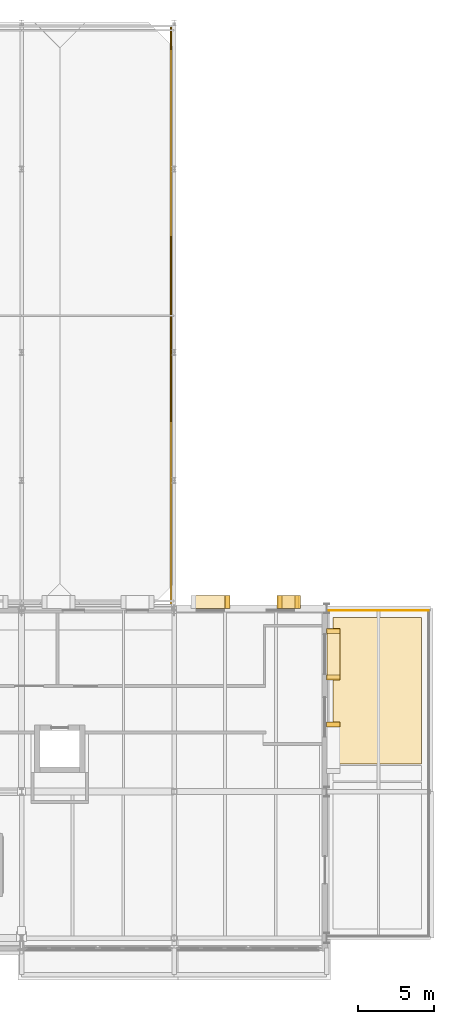
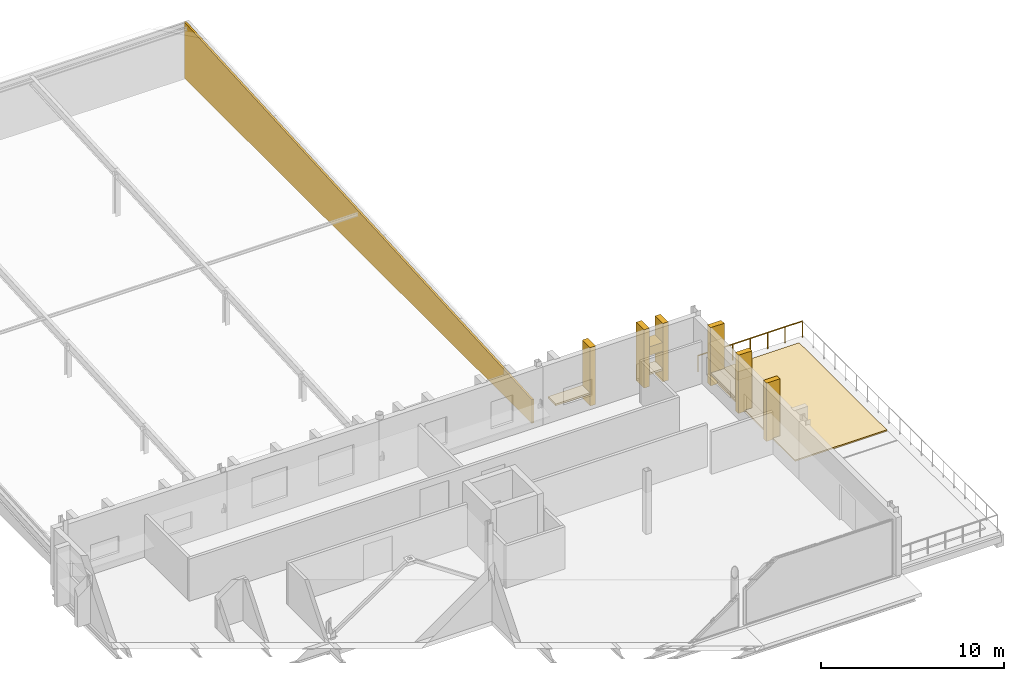
# One storey, part 57 of 57: 13 coverings, 1 railing.
"""IFC4 building model written with IfcOpenShell, lengths in metres."""

from ifc_helpers import new_model, si_unit, direction, frame, origin, origin_2d, place, context, subcontext, project, spatial, polyline, rectangle, circle, outline, extrude, material, layer, layer_set, type_object, element, save


model = new_model("IFC4")

# Units and contexts
model_context = context("Model", 3, precision=1e-05, world=origin(), true_north=direction((0.0, 1.0)))
body_context = subcontext(model_context, "Body", "Model", "MODEL_VIEW")
ifc_project = project(units=[si_unit("LENGTHUNIT", "METRE"), si_unit("AREAUNIT", "SQUARE_METRE"), si_unit("VOLUMEUNIT", "CUBIC_METRE"), si_unit("PLANEANGLEUNIT", "RADIAN"), si_unit("MASSUNIT", "GRAM", prefix="KILO")], contexts=[model_context])

# Site, building, storey
site_placement = place(None, origin())
site = spatial("IfcSite", under=ifc_project, at=site_placement, CompositionType="ELEMENT")
building_placement = place(site_placement, origin())
building = spatial("IfcBuilding", under=site, at=building_placement, Name="Zereglee Splitstone Museum", CompositionType="ELEMENT")
storey_placement = place(building_placement, frame((0.0, 0.0, 17.10009765625)))
storey = spatial("IfcBuildingStorey", under=building, at=storey_placement, Name="L03", CompositionType="ELEMENT", Elevation=17.10009765625)

# Coverings
ifc_material_1 = material(Name="Honed Gobi pale limestone stringcourse and soffit cladding", Category="masonry")
ifc_layer_1 = layer(ifc_material_1, 0.070068359375)
ifc_layer_set_1 = layer_set([ifc_layer_1], Name="Honed Gobi pale limestone stringcourse and soffit cladding")
covering_type_1 = type_object("IfcCoveringType", Name="CL-02", PredefinedType="CLADDING", material=ifc_layer_set_1)
for number, where, z_axis, x_axis, name in (
    (1, (215.625, 14.0, 0.0), (0.0, 0.0, 1.0), (0.0, 1.0, 0.0), "Mughal Window Reveal Stone Pilaster L03-0105R"),
    (2, (215.625, 17.080078125, 0.0), (0.0, 0.0, 1.0), (0.0, 1.0, 0.0), "Mughal Window Reveal Stone Pilaster L03-0106L"),
    (3, (215.625, 20.1201171875, 0.0), (0.0, 0.0, 1.0), (0.0, 1.0, 0.0), "Mughal Window Reveal Stone Pilaster L03-0106R"),
):
    element("IfcCovering", number, at=place(storey_placement, frame(where, z_axis=z_axis, x_axis=x_axis)), inside=storey, type_object=covering_type_1, Name=name, PredefinedType="CLADDING", context=body_context, shape_type="SweptSolid", body=[
        extrude(rectangle(XDim=0.340087890625, YDim=0.860107421875, at=origin_2d()), origin(), (0.0, 0.0, 1.0), 3.89990234375),
    ])
covering_1_placement = place(storey_placement, frame((215.635009765625, 18.60009765625, 0.759765625), z_axis=(0.0, 0.0, 1.0), x_axis=(0.0, 1.0, 0.0)))
element("IfcCovering", 4, at=covering_1_placement, inside=storey, type_object=covering_type_1, Name="Carved Limestone Window Sill L03-0106", PredefinedType="CLADDING", context=body_context, shape_type="SweptSolid", body=[
    extrude(rectangle(XDim=3.239990234375, YDim=0.840087890625, at=origin_2d()), origin(), (0.0, 0.0, 1.0), 0.1201171875),
])
for number, where, z_axis, x_axis, name in (
    (5, (213.294921875, 22.02490234375, 0.0), (0.0, 0.0, 1.0), (-1.0, 0.0, 0.0), "Mughal Window Reveal Stone Pilaster L03-0107L"),
    (6, (212.10498046875, 22.02490234375, 0.0), (0.0, 0.0, 1.0), (-1.0, 0.0, 0.0), "Mughal Window Reveal Stone Pilaster L03-0107R"),
):
    element("IfcCovering", number, at=place(storey_placement, frame(where, z_axis=z_axis, x_axis=x_axis)), inside=storey, type_object=covering_type_1, Name=name, PredefinedType="CLADDING", context=body_context, shape_type="SweptSolid", body=[
        extrude(rectangle(XDim=0.340087890625, YDim=0.860107421875, at=origin_2d()), origin(), (0.0, 0.0, 1.0), 3.89990234375),
    ])
covering_2_placement = place(storey_placement, frame((212.699951171875, 22.034912109375, 0.759765625), z_axis=(0.0, 0.0, 1.0), x_axis=(-1.0, 0.0, 0.0)))
element("IfcCovering", 7, at=covering_2_placement, inside=storey, type_object=covering_type_1, Name="Carved Limestone Window Sill L03-0107", PredefinedType="CLADDING", context=body_context, shape_type="SweptSolid", body=[
    extrude(rectangle(XDim=1.389892578125, YDim=0.840087890625, at=origin_2d()), origin(), (0.0, 0.0, 1.0), 0.1201171875),
])
covering_3_placement = place(storey_placement, frame((208.699951171875, 22.02490234375, 0.0), z_axis=(0.0, 0.0, 1.0), x_axis=(-1.0, 0.0, 0.0)))
element("IfcCovering", 8, at=covering_3_placement, inside=storey, type_object=covering_type_1, Name="Mughal Window Reveal Stone Pilaster L03-0108L", PredefinedType="CLADDING", context=body_context, shape_type="SweptSolid", body=[
    extrude(rectangle(XDim=0.340087890625, YDim=0.860107421875, at=origin_2d()), origin(), (0.0, 0.0, 1.0), 3.89990234375),
])
covering_4_placement = place(storey_placement, frame((207.580078125, 22.034912109375, 0.759765625), z_axis=(0.0, 0.0, 1.0), x_axis=(-1.0, 0.0, 0.0)))
element("IfcCovering", 9, at=covering_4_placement, inside=storey, type_object=covering_type_1, Name="Carved Limestone Window Sill L03-0108", PredefinedType="CLADDING", context=body_context, shape_type="SweptSolid", body=[
    extrude(rectangle(XDim=2.43994140625, YDim=0.840087890625, at=origin_2d()), origin(), (0.0, 0.0, 1.0), 0.1201171875),
])
ifc_material_2 = material(Name="Honed Khoroo red sandstone ventilated rainscreen", Category="masonry")
ifc_layer_2 = layer(ifc_material_2, 0.080078125)
ifc_layer_set_2 = layer_set([ifc_layer_2], Name="Honed Khoroo red sandstone ventilated rainscreen")
covering_type_2 = type_object("IfcCoveringType", Name="CL-01", PredefinedType="CLADDING", material=ifc_layer_set_2)
covering_5_placement = place(storey_placement, frame((215.635009765625, 18.60009765625, 2.159912109375), z_axis=(0.0, 0.0, 1.0), x_axis=(0.0, 1.0, 0.0)))
element("IfcCovering", 10, at=covering_5_placement, inside=storey, type_object=covering_type_2, Name="Pointed-Arch Mughal Window Hood L03-0106", PredefinedType="CLADDING", context=body_context, shape_type="SweptSolid", body=[
    extrude(rectangle(XDim=3.239990234375, YDim=0.860107421875, at=origin_2d()), origin(), (0.0, 0.0, 1.0), 0.580078125),
])
covering_6_placement = place(storey_placement, frame((212.699951171875, 22.034912109375, 2.059814453125), z_axis=(0.0, 0.0, 1.0), x_axis=(-1.0, 0.0, 0.0)))
element("IfcCovering", 11, at=covering_6_placement, inside=storey, type_object=covering_type_2, Name="Pointed-Arch Mughal Window Hood L03-0107", PredefinedType="CLADDING", context=body_context, shape_type="SweptSolid", body=[
    extrude(rectangle(XDim=1.389892578125, YDim=0.860107421875, at=origin_2d()), origin(), (0.0, 0.0, 1.0), 0.580078125),
])
covering_7_placement = place(storey_placement, frame((205.050048828125, 21.75, 0.0), z_axis=(1.0, 0.0, 0.0), x_axis=(0.0, 1.0, 0.0)))
element("IfcCovering", 12, at=covering_7_placement, inside=storey, type_object=covering_type_2, Name="Raked Attic Split-Rock Cladding RF-V4 E", PredefinedType="CLADDING", context=body_context, shape_type="SweptSolid", body=[
    extrude(outline(polyline([(0.0, 0.0), (38.10009765625, 0.0), (38.10009765625, 3.766357421875), (0.0, 1.58349609375), (0.0, 0.0)])), origin(), (0.0, 0.0, -1.0), 0.1201171875),
])

# Railing
ifc_material_3 = material(Name="Brushed stainless steel 1.4404 post-and-rail guard", Category="steel")
railing_type = type_object("IfcRailingType", Name="GR-01", PredefinedType="GUARDRAIL", material=ifc_material_3)
railing_placement = place(storey_placement, frame((221.8798828125, 21.47998046875, 0.0)))
element("IfcRailing", 13, at=railing_placement, inside=storey, type_object=railing_type, Name="Outdoor Terrace Guard TER-L03-S2-3", PredefinedType="GUARDRAIL", context=body_context, shape_type="SweptSolid", body=[
    extrude(circle(Radius=0.02392578125, at=origin_2d()), frame((0.0, 0.0, 1.076416015625), z_axis=(-1.0, 0.0, 0.0), x_axis=(0.0, -1.0, 0.0)), (0.0, 0.0, 1.0), 6.599853515625),
    extrude(circle(Radius=0.02099609375, at=origin_2d()), origin(), (0.0, 0.0, 1.0), 1.052001953125),
    extrude(circle(Radius=0.02099609375, at=origin_2d()), frame((-1.10009765625, 0.0, 0.0)), (0.0, 0.0, 1.0), 1.052001953125),
    extrude(circle(Radius=0.02099609375, at=origin_2d()), frame((-2.199951171875, 0.0, 0.0)), (0.0, 0.0, 1.0), 1.052001953125),
    extrude(circle(Radius=0.02099609375, at=origin_2d()), frame((-3.2998046875, 0.0, 0.0)), (0.0, 0.0, 1.0), 1.052001953125),
    extrude(circle(Radius=0.02099609375, at=origin_2d()), frame((-4.39990234375, 0.0, 0.0)), (0.0, 0.0, 1.0), 1.052001953125),
    extrude(circle(Radius=0.02099609375, at=origin_2d()), frame((-5.5, 0.0, 0.0)), (0.0, 0.0, 1.0), 1.052001953125),
    extrude(circle(Radius=0.02099609375, at=origin_2d()), frame((-6.599853515625, 0.0, 0.0)), (0.0, 0.0, 1.0), 1.052001953125),
])

# Covering
ifc_material_4 = material(Name="Riven Khoroo red sandstone charbagh terrace paving", Category="masonry")
ifc_layer_3 = layer(ifc_material_4, 0.090087890625)
ifc_layer_set_3 = layer_set([ifc_layer_3], Name="Riven Khoroo red sandstone charbagh terrace paving")
covering_type_3 = type_object("IfcCoveringType", Name="PAV-02", PredefinedType="FLOORING", material=ifc_layer_set_3)
covering_8_placement = place(storey_placement, origin())
element("IfcCovering", 14, at=covering_8_placement, inside=storey, type_object=covering_type_3, Name="Charbagh Stone Terrace Parterre PAV-TER-S2-N", PredefinedType="FLOORING", context=body_context, shape_type="SweptSolid", body=[
    extrude(outline(polyline([(215.60009765625, 11.39990234375), (221.39990234375, 11.39990234375), (221.39990234375, 21.0), (215.60009765625, 21.0), (215.60009765625, 11.39990234375)])), origin(), (0.0, 0.0, 1.0), 0.08984375),
])

save(model, "model.ifc")
